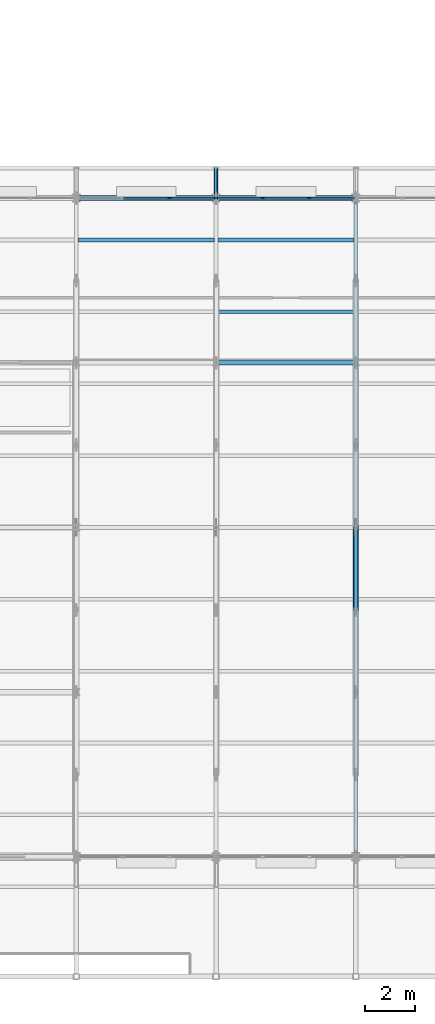
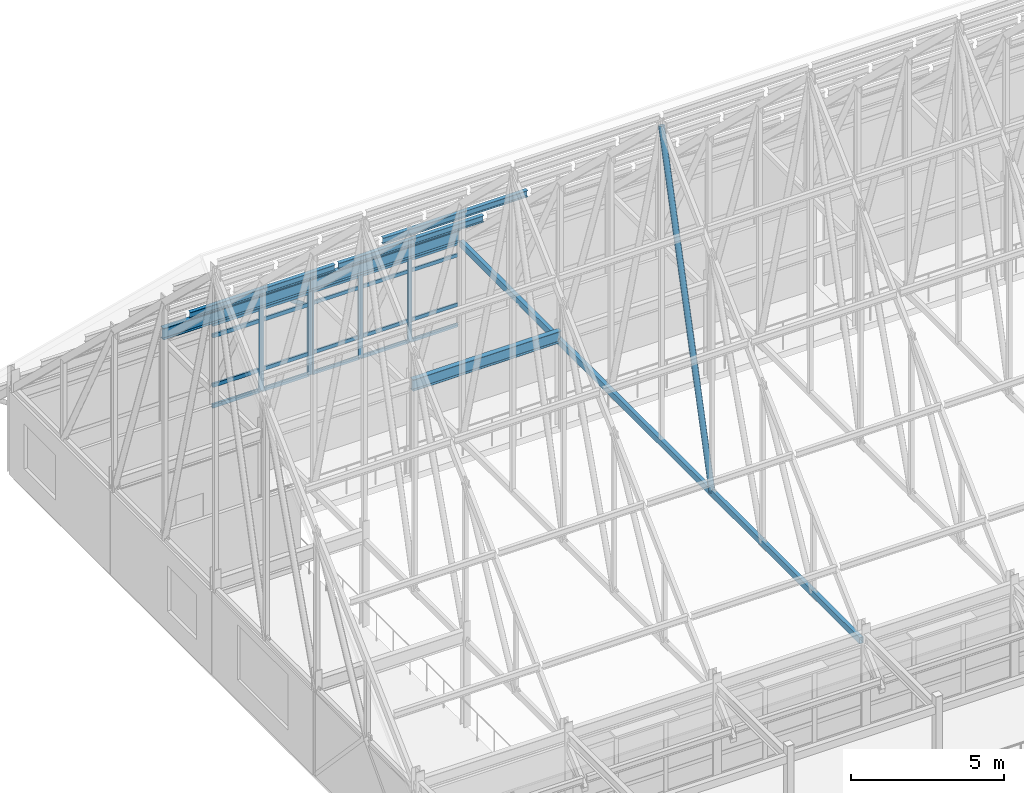
# One storey, part 33 of 144: 31 members, 3 beams, 2 elements without a shape of their own.
"""IFC4 building model written with IfcOpenShell, lengths in metres."""

from ifc_helpers import new_model, si_unit, direction, frame, origin, origin_2d, place, context, subcontext, project, spatial, rectangle, hollow_rectangle, hollow_circle, i_section, extrude, material, layer, layer_set, material_profile, profile_set, type_object, element, aggregate, save


model = new_model("IFC4")

# Units and contexts
model_context = context("Model", 3, precision=1e-05, world=origin(), true_north=direction((0.0, 1.0)))
body_context = subcontext(model_context, "Body", "Model", "MODEL_VIEW")
ifc_project = project(units=[si_unit("LENGTHUNIT", "METRE"), si_unit("AREAUNIT", "SQUARE_METRE"), si_unit("VOLUMEUNIT", "CUBIC_METRE"), si_unit("PLANEANGLEUNIT", "RADIAN"), si_unit("MASSUNIT", "GRAM", prefix="KILO")], contexts=[model_context])

# Site, building, storey
site_placement = place(None, origin())
site = spatial("IfcSite", under=ifc_project, at=site_placement, CompositionType="ELEMENT")
building_placement = place(site_placement, origin())
building = spatial("IfcBuilding", under=site, at=building_placement, Name="Trelmorton Wharf Fire Station", CompositionType="ELEMENT")
storey_placement = place(building_placement, frame((0.0, 0.0, 5.39990234375)))
storey = spatial("IfcBuildingStorey", under=building, at=storey_placement, Name="L01", CompositionType="ELEMENT", Elevation=5.39990234375)

# Curtain wall, members
ifc_material_1 = material(Name="Anodised aluminium AW-6063", Category="aluminium")
ifc_layer = layer(ifc_material_1, 0.175048828125)
ifc_layer_set = layer_set([ifc_layer], Name="Anodised aluminium AW-6063")
curtain_wall_type = type_object("IfcCurtainWallType", Name="CW_CHIC_B", PredefinedType="USERDEFINED", material=ifc_layer_set)
curtain_wall_1_placement = place(storey_placement, origin())
curtain_wall_1 = element("IfcCurtainWall", 1, at=curtain_wall_1_placement, inside=storey, type_object=curtain_wall_type, Name="CW-V1-L01-011", ObjectType="CHICAGO BAY CURTAIN WALL", PredefinedType="USERDEFINED")
ifc_material_profile_1 = material_profile(ifc_material_1, rectangle(XDim=0.06494140625, YDim=0.159912109375, at=origin_2d()), Name="ALU-65x160")
ifc_profile_set_1 = profile_set([ifc_material_profile_1], Name="Anodised aluminium AW-6063")
member_type_1 = type_object("IfcMemberType", Name="CWM_65x160", PredefinedType="MULLION", material=ifc_profile_set_1)
member_1_placement = place(storey_placement, frame((12.034912109375, 34.199951171875, 0.0), z_axis=(0.0, 0.0, 1.0), x_axis=(0.0, 1.0, 0.0)))
member_1 = element("IfcMember", 2, at=member_1_placement, type_object=member_type_1, Name="CW2 mullion 1", PredefinedType="MULLION", context=body_context, shape_type="SweptSolid", body=[
    extrude(rectangle(XDim=0.06494140625, YDim=0.159912109375, at=origin_2d()), origin(), (0.0, 0.0, 1.0), 3.320068359375),
])
member_2_placement = place(storey_placement, frame((13.868408203125, 34.199951171875, 0.0), z_axis=(0.0, 0.0, 1.0), x_axis=(0.0, 1.0, 0.0)))
member_2 = element("IfcMember", 3, at=member_2_placement, type_object=member_type_1, Name="CW2 mullion 2", PredefinedType="MULLION", context=body_context, shape_type="SweptSolid", body=[
    extrude(rectangle(XDim=0.06494140625, YDim=0.159912109375, at=origin_2d()), origin(), (0.0, 0.0, 1.0), 3.320068359375),
])
member_3_placement = place(storey_placement, frame((15.731689453125, 34.199951171875, 0.0), z_axis=(0.0, 0.0, 1.0), x_axis=(0.0, 1.0, 0.0)))
member_3 = element("IfcMember", 4, at=member_3_placement, type_object=member_type_1, Name="CW2 mullion 3", PredefinedType="MULLION", context=body_context, shape_type="SweptSolid", body=[
    extrude(rectangle(XDim=0.06494140625, YDim=0.159912109375, at=origin_2d()), origin(), (0.0, 0.0, 1.0), 3.320068359375),
])

curtain_wall_2_placement = place(storey_placement, origin())
curtain_wall_2 = element("IfcCurtainWall", 5, at=curtain_wall_2_placement, inside=storey, type_object=curtain_wall_type, Name="CW-V1-L01-010", ObjectType="CHICAGO BAY CURTAIN WALL", PredefinedType="USERDEFINED")
ifc_material_profile_2 = material_profile(ifc_material_1, rectangle(XDim=0.074951171875, YDim=0.175048828125, at=origin_2d()), Name="ALU-75x175")
ifc_profile_set_2 = profile_set([ifc_material_profile_2], Name="Anodised aluminium AW-6063")
member_type_2 = type_object("IfcMemberType", Name="CWM_75x175", PredefinedType="MULLION", material=ifc_profile_set_2)
member_4_placement = place(storey_placement, frame((10.131591796875, 34.199951171875, 0.0), z_axis=(0.0, 0.0, 1.0), x_axis=(0.0, 1.0, 0.0)))
member_4 = element("IfcMember", 6, at=member_4_placement, type_object=member_type_2, Name="CW2 mullion 3", PredefinedType="MULLION", context=body_context, shape_type="SweptSolid", body=[
    extrude(rectangle(XDim=0.074951171875, YDim=0.175048828125, at=origin_2d()), origin(), (0.0, 0.0, 1.0), 3.320068359375),
])
member_5_placement = place(storey_placement, frame((11.965087890625, 34.199951171875, 0.0), z_axis=(0.0, 0.0, 1.0), x_axis=(0.0, 1.0, 0.0)))
member_5 = element("IfcMember", 7, at=member_5_placement, type_object=member_type_2, Name="CW2 mullion 4", PredefinedType="MULLION", context=body_context, shape_type="SweptSolid", body=[
    extrude(rectangle(XDim=0.074951171875, YDim=0.175048828125, at=origin_2d()), origin(), (0.0, 0.0, 1.0), 3.320068359375),
])

# Member
ifc_material_profile_3 = material_profile(ifc_material_1, rectangle(XDim=0.06494140625, YDim=0.139892578125, at=origin_2d()), Name="ALU-65x140")
ifc_profile_set_3 = profile_set([ifc_material_profile_3], Name="Anodised aluminium AW-6063")
member_type_3 = type_object("IfcMemberType", Name="CWT_65x140", PredefinedType="USERDEFINED", material=ifc_profile_set_3)
member_6_placement = place(storey_placement, frame((12.06494140625, 34.199951171875, 0.030029296875), z_axis=(1.0, 0.0, 0.0), x_axis=(0.0, 1.0, 0.0)))
member_6 = element("IfcMember", 8, at=member_6_placement, type_object=member_type_3, Name="CW2 transom 1.1", ObjectType="TRANSOM", PredefinedType="USERDEFINED", context=body_context, shape_type="SweptSolid", body=[
    extrude(rectangle(XDim=0.06494140625, YDim=0.139892578125, at=origin_2d()), origin(), (0.0, 0.0, 1.0), 1.7734375),
])

member_7_placement = place(storey_placement, frame((12.06494140625, 34.199951171875, 0.85009765625), z_axis=(1.0, 0.0, 0.0), x_axis=(0.0, 1.0, 0.0)))
member_7 = element("IfcMember", 9, at=member_7_placement, type_object=member_type_3, Name="CW2 transom 1.2", ObjectType="TRANSOM", PredefinedType="USERDEFINED", context=body_context, shape_type="SweptSolid", body=[
    extrude(rectangle(XDim=0.06494140625, YDim=0.139892578125, at=origin_2d()), origin(), (0.0, 0.0, 1.0), 1.7734375),
])

member_8_placement = place(storey_placement, frame((12.06494140625, 34.199951171875, 2.820068359375), z_axis=(1.0, 0.0, 0.0), x_axis=(0.0, 1.0, 0.0)))
member_8 = element("IfcMember", 10, at=member_8_placement, type_object=member_type_3, Name="CW2 transom 1.3", ObjectType="TRANSOM", PredefinedType="USERDEFINED", context=body_context, shape_type="SweptSolid", body=[
    extrude(rectangle(XDim=0.06494140625, YDim=0.139892578125, at=origin_2d()), origin(), (0.0, 0.0, 1.0), 1.7734375),
])

member_9_placement = place(storey_placement, frame((12.06494140625, 34.199951171875, 3.2900390625), z_axis=(1.0, 0.0, 0.0), x_axis=(0.0, 1.0, 0.0)))
member_9 = element("IfcMember", 11, at=member_9_placement, type_object=member_type_3, Name="CW2 transom 1.4", ObjectType="TRANSOM", PredefinedType="USERDEFINED", context=body_context, shape_type="SweptSolid", body=[
    extrude(rectangle(XDim=0.06494140625, YDim=0.139892578125, at=origin_2d()), origin(), (0.0, 0.0, 1.0), 1.7734375),
])

member_10_placement = place(storey_placement, frame((13.8984375, 34.199951171875, 0.030029296875), z_axis=(1.0, 0.0, 0.0), x_axis=(0.0, 1.0, 0.0)))
member_10 = element("IfcMember", 12, at=member_10_placement, type_object=member_type_3, Name="CW2 transom 2.1", ObjectType="TRANSOM", PredefinedType="USERDEFINED", context=body_context, shape_type="SweptSolid", body=[
    extrude(rectangle(XDim=0.06494140625, YDim=0.139892578125, at=origin_2d()), origin(), (0.0, 0.0, 1.0), 1.80322265625),
])

member_11_placement = place(storey_placement, frame((13.8984375, 34.199951171875, 0.85009765625), z_axis=(1.0, 0.0, 0.0), x_axis=(0.0, 1.0, 0.0)))
member_11 = element("IfcMember", 13, at=member_11_placement, type_object=member_type_3, Name="CW2 transom 2.2", ObjectType="TRANSOM", PredefinedType="USERDEFINED", context=body_context, shape_type="SweptSolid", body=[
    extrude(rectangle(XDim=0.06494140625, YDim=0.139892578125, at=origin_2d()), origin(), (0.0, 0.0, 1.0), 1.80322265625),
])

member_12_placement = place(storey_placement, frame((13.8984375, 34.199951171875, 2.820068359375), z_axis=(1.0, 0.0, 0.0), x_axis=(0.0, 1.0, 0.0)))
member_12 = element("IfcMember", 14, at=member_12_placement, type_object=member_type_3, Name="CW2 transom 2.3", ObjectType="TRANSOM", PredefinedType="USERDEFINED", context=body_context, shape_type="SweptSolid", body=[
    extrude(rectangle(XDim=0.06494140625, YDim=0.139892578125, at=origin_2d()), origin(), (0.0, 0.0, 1.0), 1.80322265625),
])

member_13_placement = place(storey_placement, frame((13.8984375, 34.199951171875, 3.2900390625), z_axis=(1.0, 0.0, 0.0), x_axis=(0.0, 1.0, 0.0)))
member_13 = element("IfcMember", 15, at=member_13_placement, type_object=member_type_3, Name="CW2 transom 2.4", ObjectType="TRANSOM", PredefinedType="USERDEFINED", context=body_context, shape_type="SweptSolid", body=[
    extrude(rectangle(XDim=0.06494140625, YDim=0.139892578125, at=origin_2d()), origin(), (0.0, 0.0, 1.0), 1.80322265625),
])

member_14_placement = place(storey_placement, frame((15.76171875, 34.199951171875, 0.030029296875), z_axis=(1.0, 0.0, 0.0), x_axis=(0.0, 1.0, 0.0)))
member_14 = element("IfcMember", 16, at=member_14_placement, type_object=member_type_3, Name="CW2 transom 3.1", ObjectType="TRANSOM", PredefinedType="USERDEFINED", context=body_context, shape_type="SweptSolid", body=[
    extrude(rectangle(XDim=0.06494140625, YDim=0.139892578125, at=origin_2d()), origin(), (0.0, 0.0, 1.0), 1.773193359375),
])

member_15_placement = place(storey_placement, frame((15.76171875, 34.199951171875, 0.85009765625), z_axis=(1.0, 0.0, 0.0), x_axis=(0.0, 1.0, 0.0)))
member_15 = element("IfcMember", 17, at=member_15_placement, type_object=member_type_3, Name="CW2 transom 3.2", ObjectType="TRANSOM", PredefinedType="USERDEFINED", context=body_context, shape_type="SweptSolid", body=[
    extrude(rectangle(XDim=0.06494140625, YDim=0.139892578125, at=origin_2d()), origin(), (0.0, 0.0, 1.0), 1.773193359375),
])

member_16_placement = place(storey_placement, frame((15.76171875, 34.199951171875, 2.820068359375), z_axis=(1.0, 0.0, 0.0), x_axis=(0.0, 1.0, 0.0)))
member_16 = element("IfcMember", 18, at=member_16_placement, type_object=member_type_3, Name="CW2 transom 3.3", ObjectType="TRANSOM", PredefinedType="USERDEFINED", context=body_context, shape_type="SweptSolid", body=[
    extrude(rectangle(XDim=0.06494140625, YDim=0.139892578125, at=origin_2d()), origin(), (0.0, 0.0, 1.0), 1.773193359375),
])

member_17_placement = place(storey_placement, frame((15.76171875, 34.199951171875, 3.2900390625), z_axis=(1.0, 0.0, 0.0), x_axis=(0.0, 1.0, 0.0)))
member_17 = element("IfcMember", 19, at=member_17_placement, type_object=member_type_3, Name="CW2 transom 3.4", ObjectType="TRANSOM", PredefinedType="USERDEFINED", context=body_context, shape_type="SweptSolid", body=[
    extrude(rectangle(XDim=0.06494140625, YDim=0.139892578125, at=origin_2d()), origin(), (0.0, 0.0, 1.0), 1.773193359375),
])

aggregate(curtain_wall_1, [member_1, member_2, member_3, member_6, member_7, member_8, member_9, member_10, member_11, member_12, member_13, member_14, member_15, member_16, member_17])

ifc_material_profile_4 = material_profile(ifc_material_1, rectangle(XDim=0.074951171875, YDim=0.155029296875, at=origin_2d()), Name="ALU-75x155")
ifc_profile_set_4 = profile_set([ifc_material_profile_4], Name="Anodised aluminium AW-6063")
member_type_4 = type_object("IfcMemberType", Name="CWT_75x155", PredefinedType="USERDEFINED", material=ifc_profile_set_4)
member_18_placement = place(storey_placement, frame((8.29833984375, 34.199951171875, 0.030029296875), z_axis=(1.0, 0.0, 0.0), x_axis=(0.0, 1.0, 0.0)))
member_18 = element("IfcMember", 20, at=member_18_placement, type_object=member_type_4, Name="CW2 transom 2.1", ObjectType="TRANSOM", PredefinedType="USERDEFINED", context=body_context, shape_type="SweptSolid", body=[
    extrude(rectangle(XDim=0.074951171875, YDim=0.155029296875, at=origin_2d()), origin(), (0.0, 0.0, 1.0), 1.80322265625),
])

member_19_placement = place(storey_placement, frame((8.29833984375, 34.199951171875, 0.85009765625), z_axis=(1.0, 0.0, 0.0), x_axis=(0.0, 1.0, 0.0)))
member_19 = element("IfcMember", 21, at=member_19_placement, type_object=member_type_4, Name="CW2 transom 2.2", ObjectType="TRANSOM", PredefinedType="USERDEFINED", context=body_context, shape_type="SweptSolid", body=[
    extrude(rectangle(XDim=0.074951171875, YDim=0.155029296875, at=origin_2d()), origin(), (0.0, 0.0, 1.0), 1.80322265625),
])

member_20_placement = place(storey_placement, frame((8.29833984375, 34.199951171875, 2.820068359375), z_axis=(1.0, 0.0, 0.0), x_axis=(0.0, 1.0, 0.0)))
member_20 = element("IfcMember", 22, at=member_20_placement, type_object=member_type_4, Name="CW2 transom 2.3", ObjectType="TRANSOM", PredefinedType="USERDEFINED", context=body_context, shape_type="SweptSolid", body=[
    extrude(rectangle(XDim=0.074951171875, YDim=0.155029296875, at=origin_2d()), origin(), (0.0, 0.0, 1.0), 1.80322265625),
])

member_21_placement = place(storey_placement, frame((8.29833984375, 34.199951171875, 3.2900390625), z_axis=(1.0, 0.0, 0.0), x_axis=(0.0, 1.0, 0.0)))
member_21 = element("IfcMember", 23, at=member_21_placement, type_object=member_type_4, Name="CW2 transom 2.4", ObjectType="TRANSOM", PredefinedType="USERDEFINED", context=body_context, shape_type="SweptSolid", body=[
    extrude(rectangle(XDim=0.074951171875, YDim=0.155029296875, at=origin_2d()), origin(), (0.0, 0.0, 1.0), 1.80322265625),
])

member_22_placement = place(storey_placement, frame((10.16162109375, 34.199951171875, 0.030029296875), z_axis=(1.0, 0.0, 0.0), x_axis=(0.0, 1.0, 0.0)))
member_22 = element("IfcMember", 24, at=member_22_placement, type_object=member_type_4, Name="CW2 transom 3.1", ObjectType="TRANSOM", PredefinedType="USERDEFINED", context=body_context, shape_type="SweptSolid", body=[
    extrude(rectangle(XDim=0.074951171875, YDim=0.155029296875, at=origin_2d()), origin(), (0.0, 0.0, 1.0), 1.7734375),
])

member_23_placement = place(storey_placement, frame((10.16162109375, 34.199951171875, 0.85009765625), z_axis=(1.0, 0.0, 0.0), x_axis=(0.0, 1.0, 0.0)))
member_23 = element("IfcMember", 25, at=member_23_placement, type_object=member_type_4, Name="CW2 transom 3.2", ObjectType="TRANSOM", PredefinedType="USERDEFINED", context=body_context, shape_type="SweptSolid", body=[
    extrude(rectangle(XDim=0.074951171875, YDim=0.155029296875, at=origin_2d()), origin(), (0.0, 0.0, 1.0), 1.7734375),
])

member_24_placement = place(storey_placement, frame((10.16162109375, 34.199951171875, 2.820068359375), z_axis=(1.0, 0.0, 0.0), x_axis=(0.0, 1.0, 0.0)))
member_24 = element("IfcMember", 26, at=member_24_placement, type_object=member_type_4, Name="CW2 transom 3.3", ObjectType="TRANSOM", PredefinedType="USERDEFINED", context=body_context, shape_type="SweptSolid", body=[
    extrude(rectangle(XDim=0.074951171875, YDim=0.155029296875, at=origin_2d()), origin(), (0.0, 0.0, 1.0), 1.7734375),
])

member_25_placement = place(storey_placement, frame((10.16162109375, 34.199951171875, 3.2900390625), z_axis=(1.0, 0.0, 0.0), x_axis=(0.0, 1.0, 0.0)))
member_25 = element("IfcMember", 27, at=member_25_placement, type_object=member_type_4, Name="CW2 transom 3.4", ObjectType="TRANSOM", PredefinedType="USERDEFINED", context=body_context, shape_type="SweptSolid", body=[
    extrude(rectangle(XDim=0.074951171875, YDim=0.155029296875, at=origin_2d()), origin(), (0.0, 0.0, 1.0), 1.7734375),
])

aggregate(curtain_wall_2, [member_4, member_5, member_18, member_19, member_20, member_21, member_22, member_23, member_24, member_25])

# Members
ifc_material_2 = material(Name="Steel Grade 300 (300 MPa)", Category="steel")
ifc_material_profile_5 = material_profile(ifc_material_2, i_section(OverallWidth=0.14599609375, OverallDepth=0.256103515625, WebThickness=0.00634765625, FlangeThickness=0.010986328125, FilletRadius=0.0087890625, at=origin_2d()), Name="250UB37.3")
ifc_profile_set_5 = profile_set([ifc_material_profile_5], Name="Steel Grade 300 (300 MPa)")
member_type_5 = type_object("IfcMemberType", Name="PR_250UB37", PredefinedType="PURLIN", material=ifc_profile_set_5)
for number, where, z_axis, x_axis, name in (
    (28, (6.471923828125, 32.52001953125, 5.315185546875), (1.0, 0.0, 0.0), (0.0, 1.0, 0.0), "V1-PR-B02-N4"),
    (29, (12.072021484375, 29.639892578125, 8.064453125), (1.0, 0.0, 0.0), (0.0, 1.0, 0.0), "V1-PR-B03-N3"),
    (30, (12.072021484375, 32.52001953125, 5.315185546875), (1.0, 0.0, 0.0), (0.0, 1.0, 0.0), "V1-PR-B03-N4"),
):
    element("IfcMember", number, at=place(storey_placement, frame(where, z_axis=z_axis, x_axis=x_axis)), inside=storey, type_object=member_type_5, Name=name, PredefinedType="PURLIN", context=body_context, shape_type="SweptSolid", body=[
        extrude(i_section(OverallWidth=0.14599609375, OverallDepth=0.256103515625, WebThickness=0.00634765625, FlangeThickness=0.010986328125, FilletRadius=0.0087890625, at=origin_2d()), origin(), (0.0, 0.0, 1.0), 5.4560546875),
    ])

# Beams
ifc_material_3 = material(Name="Steel Grade 350", Category="steel")
ifc_material_profile_6 = material_profile(ifc_material_3, i_section(OverallWidth=0.18994140625, OverallDepth=0.45703125, WebThickness=0.009033203125, FlangeThickness=0.014404296875, FilletRadius=0.011474609375, at=origin_2d()), Name="460UB74.6")
ifc_profile_set_6 = profile_set([ifc_material_profile_6], Name="Steel Grade 350")
beam_type = type_object("IfcBeamType", Name="SP_460UB75", PredefinedType="SPANDREL", material=ifc_profile_set_6)
for number, where, z_axis, x_axis, name in (
    (31, (12.00390625, 27.60009765625, 3.591552734375), (1.0, 0.0, 0.0), (0.0, 1.0, 0.0), "BM-L01-0454"),
    (32, (6.404052734375, 34.199951171875, 3.591552734375), (1.0, 0.0, 0.0), (0.0, 1.0, 0.0), "BM-L01-0472"),
    (33, (12.00390625, 34.199951171875, 3.591552734375), (1.0, 0.0, 0.0), (0.0, 1.0, 0.0), "BM-L01-0473"),
):
    element("IfcBeam", number, at=place(storey_placement, frame(where, z_axis=z_axis, x_axis=x_axis)), inside=storey, type_object=beam_type, Name=name, PredefinedType="SPANDREL", context=body_context, shape_type="SweptSolid", body=[
        extrude(i_section(OverallWidth=0.18994140625, OverallDepth=0.45703125, WebThickness=0.009033203125, FlangeThickness=0.014404296875, FilletRadius=0.011474609375, at=origin_2d()), origin(), (0.0, 0.0, 1.0), 5.592041015625),
    ])

# Members
ifc_material_4 = material(Name="Steel C350L0 (350 MPa)", Category="steel")
ifc_material_profile_7 = material_profile(ifc_material_4, hollow_rectangle(XDim=0.14990234375, YDim=0.25, WallThickness=0.009033203125, at=origin_2d()), Name="250x150x9.0RHS")
ifc_profile_set_7 = profile_set([ifc_material_profile_7], Name="Steel C350L0 (350 MPa)")
member_type_6 = type_object("IfcMemberType", Name="TR_CHORD_250RHS", PredefinedType="CHORD", material=ifc_profile_set_7)
member_26_placement = place(storey_placement, frame((17.60009765625, 7.95361328125, 3.351806640625), z_axis=(0.0, 1.0, 0.0), x_axis=(-1.0, 0.0, 0.0)))
element("IfcMember", 34, at=member_26_placement, inside=storey, type_object=member_type_6, Name="V1-TR04-BC", PredefinedType="CHORD", context=body_context, shape_type="SweptSolid", body=[
    extrude(hollow_rectangle(XDim=0.14990234375, YDim=0.25, WallThickness=0.009033203125, at=origin_2d()), origin(), (0.0, 0.0, 1.0), 26.0927734375),
])
ifc_material_profile_8 = material_profile(ifc_material_4, hollow_circle(Radius=0.084228515625, WallThickness=0.007080078125, at=origin_2d()), Name="168.3x7.1CHS")
ifc_profile_set_8 = profile_set([ifc_material_profile_8], Name="Steel C350L0 (350 MPa)")
member_type_7 = type_object("IfcMemberType", Name="TR_DIAG_168CHS", PredefinedType="STRUT", material=ifc_profile_set_8)
member_27_placement = place(storey_placement, frame((12.0, 34.199951171875, 2.7001953125), z_axis=(0.0, 0.924732639899, -0.380617320553), x_axis=(-1.0, 0.0, 0.0)))
element("IfcMember", 35, at=member_27_placement, inside=storey, type_object=member_type_7, Name="V1-TR03-EAV-N", PredefinedType="STRUT", context=body_context, shape_type="SweptSolid", body=[
    extrude(hollow_circle(Radius=0.084228515625, WallThickness=0.007080078125, at=origin_2d()), origin(), (0.0, 0.0, 1.0), 1.297607421875),
])
ifc_material_profile_9 = material_profile(ifc_material_4, hollow_circle(Radius=0.109619140625, WallThickness=0.00830078125, at=origin_2d()), Name="219.1x8.2CHS")
ifc_profile_set_9 = profile_set([ifc_material_profile_9], Name="Steel C350L0 (350 MPa)")
member_type_8 = type_object("IfcMemberType", Name="TR_DIAG_219CHS", PredefinedType="STRUT", material=ifc_profile_set_9)
member_28_placement = place(storey_placement, frame((17.60009765625, 17.699951171875, 3.351806640625), z_axis=(0.0, 0.25336106238, 0.967371785856), x_axis=(-1.0, 0.0, 0.0)))
element("IfcMember", 36, at=member_28_placement, inside=storey, type_object=member_type_8, Name="V1-TR04-DG-S3", PredefinedType="STRUT", context=body_context, shape_type="SweptSolid", body=[
    extrude(hollow_circle(Radius=0.109619140625, WallThickness=0.00830078125, at=origin_2d()), origin(), (0.0, 0.0, 1.0), 13.025146484375),
])

save(model, "model.ifc")
